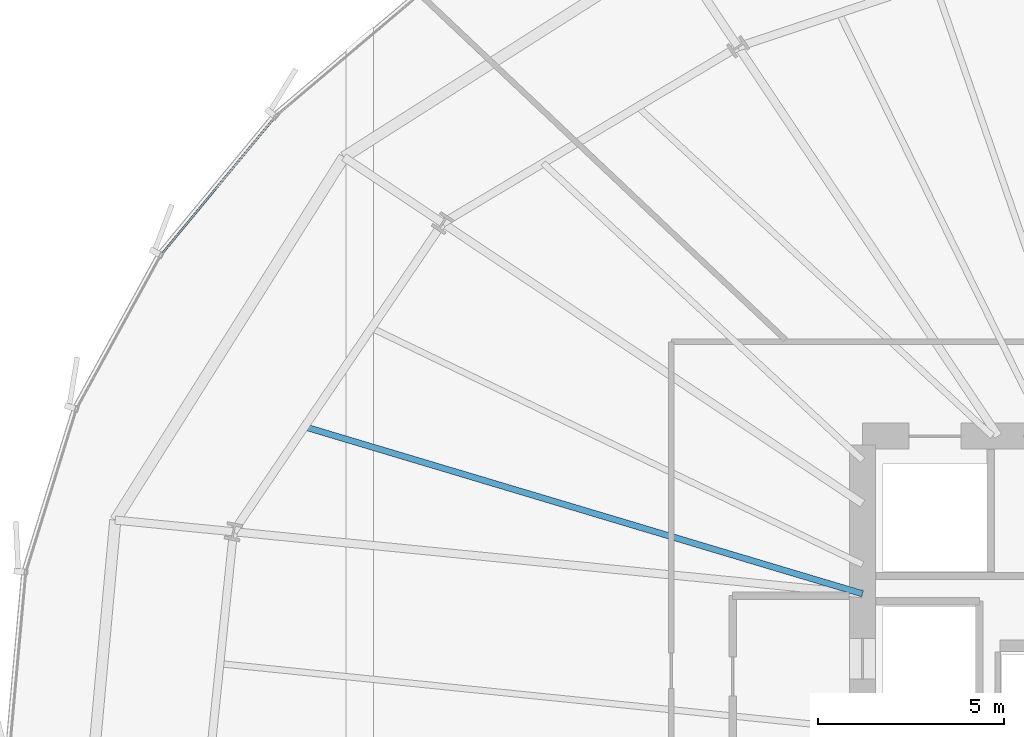
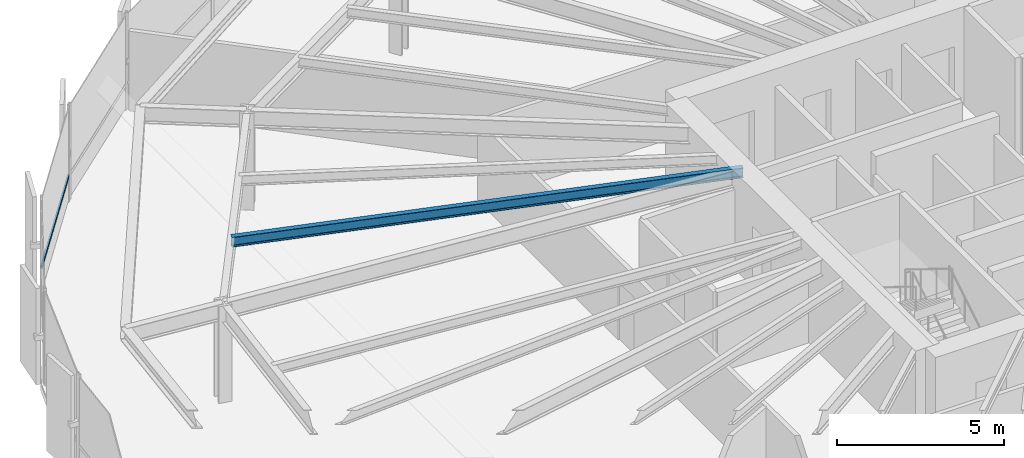
# One storey, part 20 of 39: 1 beam, 1 member, 1 element without a shape of its own.
"""IFC4 building model written with IfcOpenShell, lengths in metres."""

from ifc_helpers import new_model, si_unit, direction, frame, origin, origin_2d, place, context, subcontext, project, spatial, hollow_rectangle, i_section, extrude, source, transform, mapped, material, layer, layer_set, material_profile, profile_set, type_object, element, aggregate, save


model = new_model("IFC4")

# Units and contexts
model_context = context("Model", 3, precision=1e-05, world=origin(), true_north=direction((0.0, 1.0)))
body_context = subcontext(model_context, "Body", "Model", "MODEL_VIEW")
ifc_project = project(units=[si_unit("LENGTHUNIT", "METRE"), si_unit("AREAUNIT", "SQUARE_METRE"), si_unit("VOLUMEUNIT", "CUBIC_METRE"), si_unit("PLANEANGLEUNIT", "RADIAN"), si_unit("MASSUNIT", "GRAM", prefix="KILO"), si_unit("THERMODYNAMICTEMPERATUREUNIT", "KELVIN")], contexts=[model_context])

# Site, building, storey
site_placement = place(None, origin())
site = spatial("IfcSite", under=ifc_project, at=site_placement, CompositionType="ELEMENT")
building_placement = place(site_placement, origin())
building = spatial("IfcBuilding", under=site, at=building_placement, Name="Kethvar Cultural Tower", CompositionType="ELEMENT")
storey_placement = place(building_placement, frame((0.0, 0.0, 33.39990234375)))
storey = spatial("IfcBuildingStorey", under=building, at=storey_placement, Name="L07", CompositionType="ELEMENT", Elevation=33.39990234375)

# Beam
ifc_material_1 = material(Name="Steel S355J2", Category="steel")
ifc_material_profile_1 = material_profile(ifc_material_1, i_section(OverallWidth=0.169921875, OverallDepth=0.360107421875, WebThickness=0.008056640625, FlangeThickness=0.0126953125, FilletRadius=0.01806640625, at=origin_2d()), Name="Steel S355J2 — IPE360")
ifc_profile_set_1 = profile_set([ifc_material_profile_1], Name="Steel S355J2 — IPE360")
beam_type = type_object("IfcBeamType", Name="BM-J360", PredefinedType="JOIST", material=ifc_profile_set_1)
shared_shape_1 = source(origin(), body_context, "Body", "SweptSolid", [
    extrude(i_section(OverallWidth=0.169921875, OverallDepth=0.360107421875, WebThickness=0.008056640625, FlangeThickness=0.0126953125, FilletRadius=0.01806640625, at=origin_2d()), origin(), (0.0, 0.0, 1.0), 15.6953125),
])
beam_placement = place(storey_placement, frame((38.0, 31.25, 3.3681640625), z_axis=(-0.958003344758, 0.28675702508, 0.0), x_axis=(-0.28675702508, -0.958003344758, 0.0)))
element("IfcBeam", 1, at=beam_placement, inside=storey, type_object=beam_type, Name="L07 Composite Floor Joist J-07B", PredefinedType="JOIST", context=body_context, shape_type="MappedRepresentation", body=[
    mapped(shared_shape_1, transform((0.0, 0.0, 0.0), scale=1.0)),
])

# Curtain wall, member
ifc_material_2 = material(Name="Aluminium 6063-T6", Category="aluminium")
ifc_layer = layer(ifc_material_2, 0.179931640625, Name="Aluminium 6063-T6", Category="aluminium")
ifc_layer_set = layer_set([ifc_layer], Name="Aluminium 6063-T6 (180 mm)")
curtain_wall_type = type_object("IfcCurtainWallType", Name="CW-SYS-02-Z1", PredefinedType="NOTDEFINED", material=ifc_layer_set)
curtain_wall_placement = place(storey_placement, origin())
curtain_wall = element("IfcCurtainWall", 2, at=curtain_wall_placement, inside=storey, type_object=curtain_wall_type, Name="L07 Curtain Wall Run 04", PredefinedType="NOTDEFINED")
ifc_material_profile_2 = material_profile(ifc_material_2, hollow_rectangle(XDim=0.054931640625, YDim=0.1201171875, WallThickness=0.00390625, at=origin_2d()), Name="Aluminium 6063-T6 — RHS120x55x4")
ifc_profile_set_2 = profile_set([ifc_material_profile_2], Name="Aluminium 6063-T6 — RHS120x55x4")
member_type = type_object("IfcMemberType", Name="CW-SYS-02-Z1-TRN", PredefinedType="USERDEFINED", material=ifc_profile_set_2)
shared_shape_2 = source(origin(), body_context, "Body", "SweptSolid", [
    extrude(hollow_rectangle(XDim=0.054931640625, YDim=0.1201171875, WallThickness=0.00390625, at=origin_2d()), origin(), (0.0, 0.0, 1.0), 4.8154296875),
])
member_placement = place(storey_placement, frame((22.173828125, 44.10498046875, 0.9501953125), z_axis=(-0.637452531421, -0.77048963016, 0.0), x_axis=(0.77048963016, -0.637452531421, 0.0)))
member = element("IfcMember", 3, at=member_placement, type_object=member_type, Name="CW-L07-R04 Transom 1", ObjectType="TRANSOM", PredefinedType="USERDEFINED", context=body_context, shape_type="MappedRepresentation", body=[
    mapped(shared_shape_2, transform((0.0, 0.0, 0.0), scale=1.0)),
])
aggregate(curtain_wall, [member])

save(model, "model.ifc")
